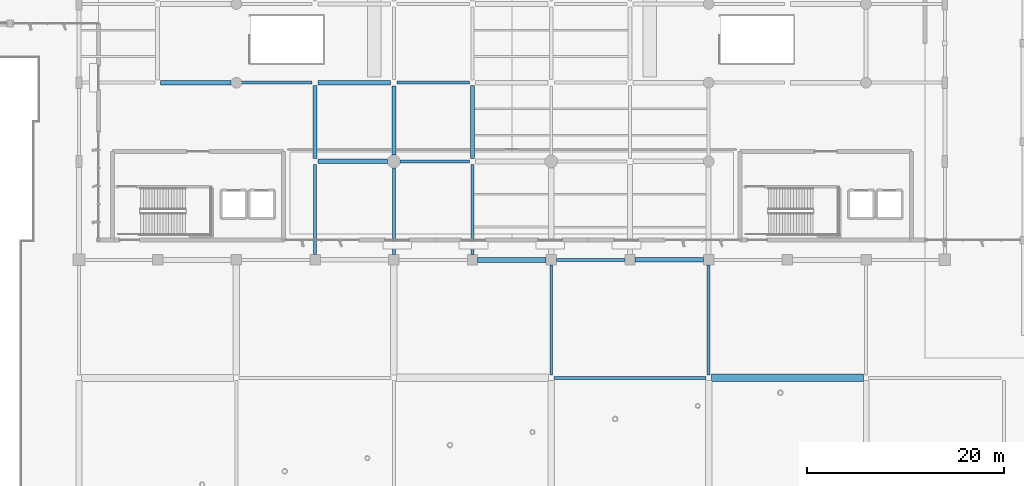
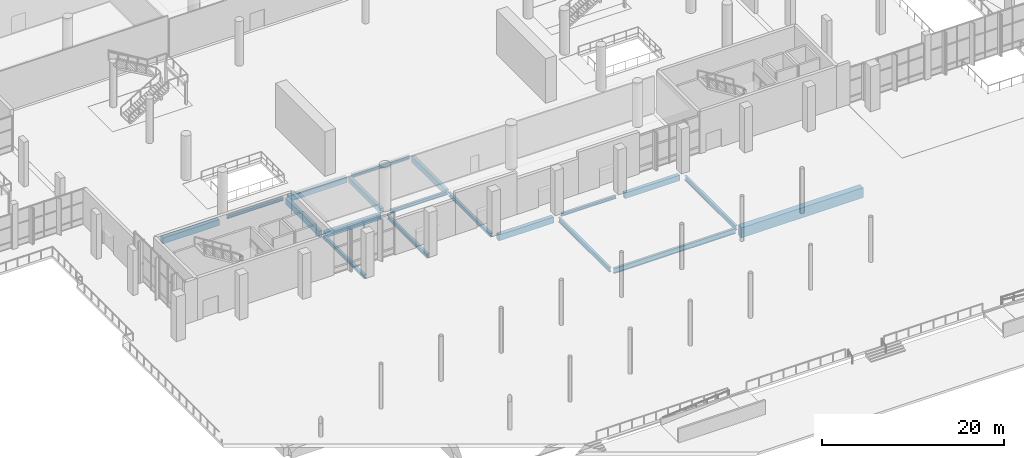
# One storey, part 38 of 163: 19 beams.
"""IFC4 building model written with IfcOpenShell, lengths in metres."""

from ifc_helpers import new_model, si_unit, direction, frame, origin, origin_2d, place, context, subcontext, project, spatial, rectangle, i_section, extrude, material, material_profile, profile_set, type_object, element, save


model = new_model("IFC4")

# Units and contexts
model_context = context("Model", 3, precision=1e-05, world=origin(), true_north=direction((0.0, 1.0)))
body_context = subcontext(model_context, "Body", "Model", "MODEL_VIEW")
ifc_project = project(units=[si_unit("LENGTHUNIT", "METRE"), si_unit("AREAUNIT", "SQUARE_METRE"), si_unit("VOLUMEUNIT", "CUBIC_METRE"), si_unit("PLANEANGLEUNIT", "RADIAN"), si_unit("MASSUNIT", "GRAM", prefix="KILO")], contexts=[model_context])

# Site, building, storey
site_placement = place(None, origin())
site = spatial("IfcSite", under=ifc_project, at=site_placement, CompositionType="ELEMENT")
building_placement = place(site_placement, origin())
building = spatial("IfcBuilding", under=site, at=building_placement, Name="Khorjan Park Terminus", CompositionType="ELEMENT")
storey_placement = place(building_placement, origin())
storey = spatial("IfcBuildingStorey", under=building, at=storey_placement, Name="L00", CompositionType="ELEMENT", Elevation=0.0)

# Beams
ifc_material_1 = material(Name="Steel S355", Category="steel")
ifc_material_profile_1 = material_profile(ifc_material_1, i_section(OverallWidth=0.3, OverallDepth=0.39, WebThickness=0.011, FlangeThickness=0.019, FilletRadius=0.027, at=origin_2d()), Name="HEA 400")
ifc_profile_set_1 = profile_set([ifc_material_profile_1], Name="Steel S355")
beam_type_1 = type_object("IfcBeamType", Name="BM-HEA400", PredefinedType="BEAM", material=ifc_profile_set_1)
beam_1_placement = place(storey_placement, frame((96.52, 26.0, -0.515), z_axis=(1.0, 0.0, 0.0), x_axis=(0.0, 1.0, 0.0)))
element("IfcBeam", 1, at=beam_1_placement, inside=storey, type_object=beam_type_1, Name="Primary floor girder SB-A40 (L00)", PredefinedType="BEAM", context=body_context, shape_type="SweptSolid", body=[
    extrude(i_section(OverallWidth=0.3, OverallDepth=0.39, WebThickness=0.011, FlangeThickness=0.019, FilletRadius=0.027, at=origin_2d()), origin(), (0.0, 0.0, 1.0), 6.96),
])
beam_2_placement = place(storey_placement, frame((64.545, 44.0, -0.555), z_axis=(1.0, 0.0, 0.0), x_axis=(0.0, 1.0, 0.0)))
element("IfcBeam", 2, at=beam_2_placement, inside=storey, type_object=beam_type_1, Name="Primary floor girder SB-A40 (L00)", PredefinedType="BEAM", context=body_context, shape_type="SweptSolid", body=[
    extrude(i_section(OverallWidth=0.3, OverallDepth=0.39, WebThickness=0.011, FlangeThickness=0.019, FilletRadius=0.027, at=origin_2d()), origin(), (0.0, 0.0, 1.0), 7.16),
])
ifc_material_profile_2 = material_profile(ifc_material_1, i_section(OverallWidth=0.3, OverallDepth=0.44, WebThickness=0.0115, FlangeThickness=0.021, FilletRadius=0.027, at=origin_2d()), Name="HEA 450")
ifc_profile_set_2 = profile_set([ifc_material_profile_2], Name="Steel S355")
beam_type_2 = type_object("IfcBeamType", Name="BM-HEA450", PredefinedType="BEAM", material=ifc_profile_set_2)
beam_3_placement = place(storey_placement, frame((80.645, 36.0, -0.58), z_axis=(1.0, 0.0, 0.0), x_axis=(0.0, 1.0, 0.0)))
element("IfcBeam", 3, at=beam_3_placement, inside=storey, type_object=beam_type_2, Name="Primary floor girder SB-A45 (L00)", PredefinedType="BEAM", context=body_context, shape_type="SweptSolid", body=[
    extrude(i_section(OverallWidth=0.3, OverallDepth=0.44, WebThickness=0.0115, FlangeThickness=0.021, FilletRadius=0.027, at=origin_2d()), origin(), (0.0, 0.0, 1.0), 7.06),
])
beam_4_placement = place(storey_placement, frame((80.32, 44.0, -0.58), z_axis=(1.0, 0.0, 0.0), x_axis=(0.0, 1.0, 0.0)))
element("IfcBeam", 4, at=beam_4_placement, inside=storey, type_object=beam_type_2, Name="Primary floor girder SB-A45 (L00)", PredefinedType="BEAM", context=body_context, shape_type="SweptSolid", body=[
    extrude(i_section(OverallWidth=0.3, OverallDepth=0.44, WebThickness=0.0115, FlangeThickness=0.021, FilletRadius=0.027, at=origin_2d()), origin(), (0.0, 0.0, 1.0), 7.385),
])
ifc_material_profile_3 = material_profile(ifc_material_1, i_section(OverallWidth=0.3, OverallDepth=0.69, WebThickness=0.0145, FlangeThickness=0.027, FilletRadius=0.027, at=origin_2d()), Name="HEA 700")
ifc_profile_set_3 = profile_set([ifc_material_profile_3], Name="Steel S355")
beam_type_3 = type_object("IfcBeamType", Name="BM-HEA700", PredefinedType="BEAM", material=ifc_profile_set_3)
beam_5_placement = place(storey_placement, frame((96.27, 14.0, -0.665), z_axis=(1.0, 0.0, 0.0), x_axis=(0.0, 1.0, 0.0)))
element("IfcBeam", 5, at=beam_5_placement, inside=storey, type_object=beam_type_3, Name="Primary floor girder SB-A70 (L00)", PredefinedType="BEAM", context=body_context, shape_type="SweptSolid", body=[
    extrude(i_section(OverallWidth=0.3, OverallDepth=0.69, WebThickness=0.0145, FlangeThickness=0.027, FilletRadius=0.027, at=origin_2d()), origin(), (0.0, 0.0, 1.0), 15.46),
])
ifc_material_profile_4 = material_profile(ifc_material_1, i_section(OverallWidth=0.3, OverallDepth=0.5, WebThickness=0.0145, FlangeThickness=0.028, FilletRadius=0.027, at=origin_2d()), Name="HEB 500")
ifc_profile_set_4 = profile_set([ifc_material_profile_4], Name="Steel S355")
beam_type_4 = type_object("IfcBeamType", Name="BM-HEB500", PredefinedType="BEAM", material=ifc_profile_set_4)
for number, where, z_axis, x_axis, name in (
    (6, (72.0, 26.52, -0.61), (0.0, 1.0, 0.0), (-1.0, 0.0, 0.0), "Primary floor girder SB-B50 (L00)"),
    (7, (88.0, 26.52, -0.61), (0.0, 1.0, 0.0), (-1.0, 0.0, 0.0), "Primary floor girder SB-B50 (L00)"),
):
    element("IfcBeam", number, at=place(storey_placement, frame(where, z_axis=z_axis, x_axis=x_axis)), inside=storey, type_object=beam_type_4, Name=name, PredefinedType="BEAM", context=body_context, shape_type="SweptSolid", body=[
        extrude(i_section(OverallWidth=0.3, OverallDepth=0.5, WebThickness=0.0145, FlangeThickness=0.028, FilletRadius=0.027, at=origin_2d()), origin(), (0.0, 0.0, 1.0), 9.185),
    ])
ifc_material_profile_5 = material_profile(ifc_material_1, i_section(OverallWidth=0.3, OverallDepth=0.55, WebThickness=0.015, FlangeThickness=0.029, FilletRadius=0.027, at=origin_2d()), Name="HEB 550")
ifc_profile_set_5 = profile_set([ifc_material_profile_5], Name="Steel S355")
beam_type_5 = type_object("IfcBeamType", Name="BM-HEB550", PredefinedType="BEAM", material=ifc_profile_set_5)
beam_6_placement = place(storey_placement, frame((80.0, 26.52, -0.635), z_axis=(0.0, 1.0, 0.0), x_axis=(-1.0, 0.0, 0.0)))
element("IfcBeam", 8, at=beam_6_placement, inside=storey, type_object=beam_type_5, Name="Primary floor girder SB-B55 (L00)", PredefinedType="BEAM", context=body_context, shape_type="SweptSolid", body=[
    extrude(i_section(OverallWidth=0.3, OverallDepth=0.55, WebThickness=0.015, FlangeThickness=0.029, FilletRadius=0.027, at=origin_2d()), origin(), (0.0, 0.0, 1.0), 8.835),
])
ifc_material_profile_6 = material_profile(ifc_material_1, i_section(OverallWidth=0.3, OverallDepth=0.6, WebThickness=0.0155, FlangeThickness=0.03, FilletRadius=0.027, at=origin_2d()), Name="HEB 600")
ifc_profile_set_6 = profile_set([ifc_material_profile_6], Name="Steel S355")
beam_type_6 = type_object("IfcBeamType", Name="BM-HEB600", PredefinedType="BEAM", material=ifc_profile_set_6)
for number, where, z_axis, x_axis, name in (
    (9, (96.0, 14.27, -0.62), (0.0, 1.0, 0.0), (-1.0, 0.0, 0.0), "Primary floor girder SB-B60 (L00)"),
    (10, (112.0, 14.27, -0.62), (0.0, 1.0, 0.0), (-1.0, 0.0, 0.0), "Primary floor girder SB-B60 (L00)"),
):
    element("IfcBeam", number, at=place(storey_placement, frame(where, z_axis=z_axis, x_axis=x_axis)), inside=storey, type_object=beam_type_6, Name=name, PredefinedType="BEAM", context=body_context, shape_type="SweptSolid", body=[
        extrude(i_section(OverallWidth=0.3, OverallDepth=0.6, WebThickness=0.0155, FlangeThickness=0.03, FilletRadius=0.027, at=origin_2d()), origin(), (0.0, 0.0, 1.0), 11.21),
    ])
ifc_material_2 = material(Name="Concrete C40/50", Category="concrete")
ifc_material_profile_7 = material_profile(ifc_material_2, rectangle(XDim=0.4, YDim=0.7, at=origin_2d()), Name="RC 400x700")
ifc_profile_set_7 = profile_set([ifc_material_profile_7], Name="Concrete C40/50")
beam_type_7 = type_object("IfcBeamType", Name="BM-RC400x700", PredefinedType="BEAM", material=ifc_profile_set_7)
beam_7_placement = place(storey_placement, frame((80.0, 36.645, -0.71), z_axis=(0.0, 1.0, 0.0), x_axis=(-1.0, 0.0, 0.0)))
element("IfcBeam", 11, at=beam_7_placement, inside=storey, type_object=beam_type_7, Name="Primary floor girder GB-07 (L00)", PredefinedType="BEAM", context=body_context, shape_type="SweptSolid", body=[
    extrude(rectangle(XDim=0.4, YDim=0.7, at=origin_2d()), origin(), (0.0, 0.0, 1.0), 7.035),
])
ifc_material_profile_8 = material_profile(ifc_material_2, rectangle(XDim=0.4, YDim=0.8, at=origin_2d()), Name="RC 400x800")
ifc_profile_set_8 = profile_set([ifc_material_profile_8], Name="Concrete C40/50")
beam_type_8 = type_object("IfcBeamType", Name="BM-RC400x800", PredefinedType="BEAM", material=ifc_profile_set_8)
for number, where, z_axis, x_axis, name in (
    (12, (72.0, 36.295, -0.76), (0.0, 1.0, 0.0), (-1.0, 0.0, 0.0), "Primary floor girder GB-08B (L00)"),
    (13, (88.0, 36.295, -0.76), (0.0, 1.0, 0.0), (-1.0, 0.0, 0.0), "Primary floor girder GB-08B (L00)"),
):
    element("IfcBeam", number, at=place(storey_placement, frame(where, z_axis=z_axis, x_axis=x_axis)), inside=storey, type_object=beam_type_8, Name=name, PredefinedType="BEAM", context=body_context, shape_type="SweptSolid", body=[
        extrude(rectangle(XDim=0.4, YDim=0.8, at=origin_2d()), origin(), (0.0, 0.0, 1.0), 7.41),
    ])
ifc_material_profile_9 = material_profile(ifc_material_2, rectangle(XDim=0.45, YDim=0.75, at=origin_2d()), Name="RC 450x750")
ifc_profile_set_9 = profile_set([ifc_material_profile_9], Name="Concrete C40/50")
beam_type_9 = type_object("IfcBeamType", Name="BM-RC450x750", PredefinedType="BEAM", material=ifc_profile_set_9)
beam_8_placement = place(storey_placement, frame((104.52, 26.0, -0.695), z_axis=(1.0, 0.0, 0.0), x_axis=(0.0, 1.0, 0.0)))
element("IfcBeam", 14, at=beam_8_placement, inside=storey, type_object=beam_type_9, Name="Primary floor girder GB-75 (L00)", PredefinedType="BEAM", context=body_context, shape_type="SweptSolid", body=[
    extrude(rectangle(XDim=0.45, YDim=0.75, at=origin_2d()), origin(), (0.0, 0.0, 1.0), 6.96),
])
beam_9_placement = place(storey_placement, frame((72.295, 36.0, -0.735), z_axis=(1.0, 0.0, 0.0), x_axis=(0.0, 1.0, 0.0)))
element("IfcBeam", 15, at=beam_9_placement, inside=storey, type_object=beam_type_9, Name="Primary floor girder GB-75 (L00)", PredefinedType="BEAM", context=body_context, shape_type="SweptSolid", body=[
    extrude(rectangle(XDim=0.45, YDim=0.75, at=origin_2d()), origin(), (0.0, 0.0, 1.0), 7.06),
])
beam_10_placement = place(storey_placement, frame((72.295, 44.0, -0.735), z_axis=(1.0, 0.0, 0.0), x_axis=(0.0, 1.0, 0.0)))
element("IfcBeam", 16, at=beam_10_placement, inside=storey, type_object=beam_type_9, Name="Primary floor girder GB-75 (L00)", PredefinedType="BEAM", context=body_context, shape_type="SweptSolid", body=[
    extrude(rectangle(XDim=0.45, YDim=0.75, at=origin_2d()), origin(), (0.0, 0.0, 1.0), 7.385),
])
ifc_material_profile_10 = material_profile(ifc_material_2, rectangle(XDim=0.5, YDim=0.8, at=origin_2d()), Name="RC 500x800")
ifc_profile_set_10 = profile_set([ifc_material_profile_10], Name="Concrete C40/50")
beam_type_10 = type_object("IfcBeamType", Name="BM-RC500x800", PredefinedType="BEAM", material=ifc_profile_set_10)
beam_11_placement = place(storey_placement, frame((88.52, 26.0, -0.72), z_axis=(1.0, 0.0, 0.0), x_axis=(0.0, 1.0, 0.0)))
element("IfcBeam", 17, at=beam_11_placement, inside=storey, type_object=beam_type_10, Name="Primary floor girder GB-08 (L00)", PredefinedType="BEAM", context=body_context, shape_type="SweptSolid", body=[
    extrude(rectangle(XDim=0.5, YDim=0.8, at=origin_2d()), origin(), (0.0, 0.0, 1.0), 6.96),
])
beam_12_placement = place(storey_placement, frame((56.295, 44.0, -0.76), z_axis=(1.0, 0.0, 0.0), x_axis=(0.0, 1.0, 0.0)))
element("IfcBeam", 18, at=beam_12_placement, inside=storey, type_object=beam_type_10, Name="Primary floor girder GB-08 (L00)", PredefinedType="BEAM", context=body_context, shape_type="SweptSolid", body=[
    extrude(rectangle(XDim=0.5, YDim=0.8, at=origin_2d()), origin(), (0.0, 0.0, 1.0), 7.16),
])
ifc_material_3 = material(Name="Concrete C50/60", Category="concrete")
ifc_material_profile_11 = material_profile(ifc_material_3, rectangle(XDim=0.75, YDim=1.35, at=origin_2d()), Name="RC 750x1350")
ifc_profile_set_11 = profile_set([ifc_material_profile_11], Name="Concrete C50/60")
beam_type_11 = type_object("IfcBeamType", Name="BM-RC750x1350", PredefinedType="BEAM", material=ifc_profile_set_11)
beam_13_placement = place(storey_placement, frame((112.27, 14.0, -0.995), z_axis=(1.0, 0.0, 0.0), x_axis=(0.0, 1.0, 0.0)))
element("IfcBeam", 19, at=beam_13_placement, inside=storey, type_object=beam_type_11, Name="Primary floor girder GB-13 (L00)", PredefinedType="BEAM", context=body_context, shape_type="SweptSolid", body=[
    extrude(rectangle(XDim=0.75, YDim=1.35, at=origin_2d()), origin(), (0.0, 0.0, 1.0), 15.46),
])

save(model, "model.ifc")
